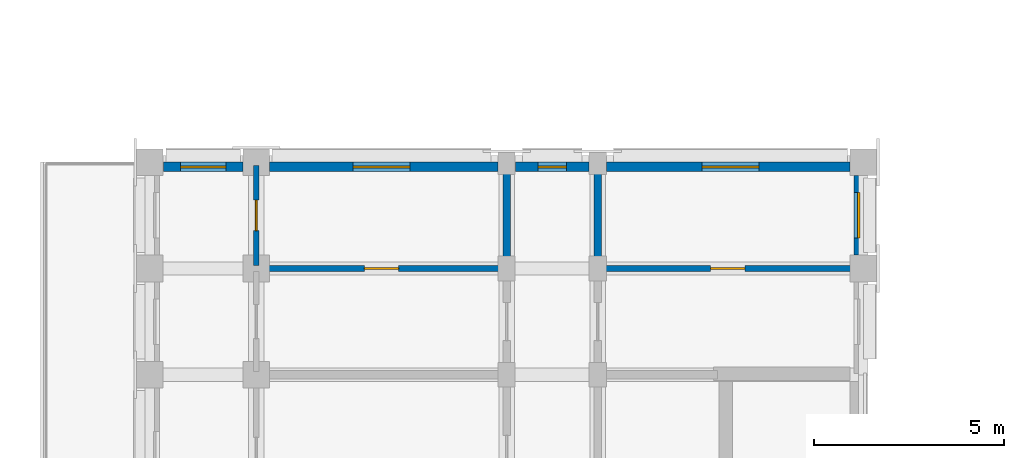
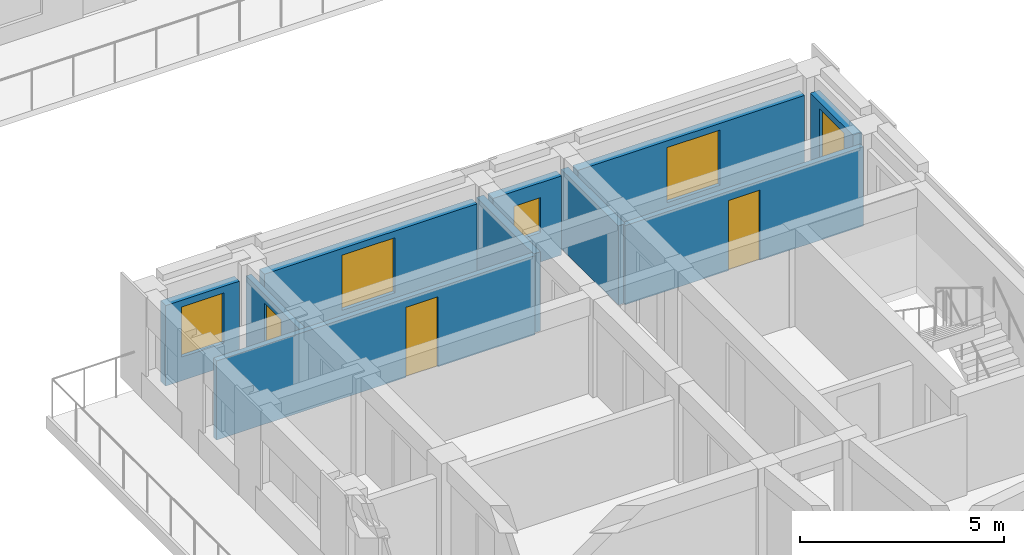
# One storey, part 21 of 54: 10 walls, 5 windows, 3 doors, 8 openings.
"""IFC4 building model written with IfcOpenShell, lengths in metres."""

from ifc_helpers import new_model, si_unit, direction, frame, frame_2d, origin, place, context, subcontext, project, spatial, rectangle, extrude, material, layer, layer_set, type_object, element, fill, save


model = new_model("IFC4")

# Units and contexts
model_context = context("Model", 3, precision=1e-05, world=origin(), true_north=direction((0.0, 1.0)))
body_context = subcontext(model_context, "Body", "Model", "MODEL_VIEW")
ifc_project = project(units=[si_unit("LENGTHUNIT", "METRE"), si_unit("AREAUNIT", "SQUARE_METRE"), si_unit("VOLUMEUNIT", "CUBIC_METRE"), si_unit("PLANEANGLEUNIT", "RADIAN"), si_unit("MASSUNIT", "GRAM", prefix="KILO")], contexts=[model_context])

# Site, building, storey
site_placement = place(None, origin())
site = spatial("IfcSite", under=ifc_project, at=site_placement, CompositionType="ELEMENT")
building_placement = place(site_placement, origin())
building = spatial("IfcBuilding", under=site, at=building_placement, Name="Kiranvali Square Residences", CompositionType="ELEMENT")
storey_placement = place(building_placement, frame((0.0, 0.0, 27.60009765625)))
storey = spatial("IfcBuildingStorey", under=building, at=storey_placement, Name="L08", CompositionType="ELEMENT", Elevation=27.60009765625)

# Walls
ifc_material_1 = material(Name="Autoclaved aerated concrete blockwork masonry", Category="masonry")
ifc_layer_1 = layer(ifc_material_1, 0.199951171875)
ifc_layer_set_1 = layer_set([ifc_layer_1], Name="Autoclaved aerated concrete blockwork masonry")
wall_type_1 = type_object("IfcWallType", Name="WL-COR-200", PredefinedType="STANDARD", material=ifc_layer_set_1)
for number, where, z_axis, x_axis, name in (
    (1, (22.39990234375, 59.39990234375, 0.0), (0.0, 0.0, 1.0), (0.0, 1.0, 0.0), "L08 architectural wall WL-L08-C-A2CI-1"),
    (2, (20.0, 59.39990234375, 0.0), (0.0, 0.0, 1.0), (0.0, 1.0, 0.0), "L08 architectural wall WL-L08-C-A2CO-1"),
):
    element("IfcWall", number, at=place(storey_placement, frame(where, z_axis=z_axis, x_axis=x_axis)), inside=storey, type_object=wall_type_1, Name=name, PredefinedType="STANDARD", context=body_context, shape_type="SweptSolid", body=[
        extrude(rectangle(XDim=2.800048828125, YDim=0.199951171875, at=frame_2d((1.39990234375, 0.0))), origin(), (0.0, 0.0, 1.0), 2.371826171875),
    ])

# Wall, opening, window
ifc_material_2 = material(Name="Breathable lime-rendered clay brick masonry", Category="masonry")
ifc_layer_2 = layer(ifc_material_2, 0.25)
ifc_layer_set_2 = layer_set([ifc_layer_2], Name="Breathable lime-rendered clay brick masonry")
wall_type_2 = type_object("IfcWallType", Name="WL-EXT-250", PredefinedType="STANDARD", material=ifc_layer_set_2)
wall_1_placement = place(storey_placement, frame((29.27490234375, 59.75341796875, 0.0), z_axis=(0.0, 0.0, 1.0), x_axis=(0.0, 1.0, 0.0)))
wall_1 = element("IfcWall", 3, at=wall_1_placement, inside=storey, type_object=wall_type_2, Name="L08 exterior wall C-L08-A2I-1", PredefinedType="STANDARD", context=body_context, shape_type="SweptSolid", body=[
    extrude(rectangle(XDim=2.093017578125, YDim=0.25, at=frame_2d((1.04638671875, 0.0))), origin(), (0.0, 0.0, 1.0), 2.471923828125),
])
opening_1_placement = place(wall_1_placement, frame((0.446533203125, 0.0, 0.77197265625)))
opening_1 = element("IfcOpeningElement", 4, at=opening_1_placement, cuts=wall_1, Name="Opening W-06", PredefinedType="OPENING", context=body_context, shape_type="SweptSolid", body=[
    extrude(rectangle(XDim=1.199951171875, YDim=1.5, at=frame_2d((0.60009765625, 0.75))), frame((0.0, 0.135009765625, 0.0), z_axis=(0.0, -1.0, 0.0), x_axis=(1.0, 0.0, 0.0)), (0.0, 0.0, 1.0), 0.27001953125),
])
ifc_material_3 = material(Name="Solar-control low-e double glazing", Category="glass")
window_type_1 = type_object("IfcWindowType", Name="WIN-RES-1200x1500", PartitioningType="SINGLE_PANEL", PredefinedType="WINDOW", material=ifc_material_3)
window_1_placement = place(opening_1_placement, origin())
window_1 = element("IfcWindow", 5, at=window_1_placement, inside=storey, type_object=window_type_1, Name="L08 recessed window C-L08-A2I-1", OverallHeight=1.5, OverallWidth=1.199951171875, PartitioningType="SINGLE_PANEL", PredefinedType="WINDOW", context=body_context, shape_type="SweptSolid", body=[
    extrude(rectangle(XDim=1.199951171875, YDim=1.5, at=frame_2d((0.60009765625, 0.75))), frame((0.0, 0.030029296875, 0.0), z_axis=(0.0, -1.0, 0.0), x_axis=(1.0, 0.0, 0.0)), (0.0, 0.0, 1.0), 0.06005859375),
])
fill(opening_1, window_1)

wall_2_placement = place(storey_placement, frame((29.04638671875, 62.074951171875, 0.0), z_axis=(0.0, 0.0, 1.0), x_axis=(-1.0, 0.0, 0.0)))
wall_2 = element("IfcWall", 6, at=wall_2_placement, inside=storey, type_object=wall_type_2, Name="L08 exterior wall C-L08-A2END-0", PredefinedType="STANDARD", context=body_context, shape_type="SweptSolid", body=[
    extrude(rectangle(XDim=6.41796875, YDim=0.25, at=frame_2d((3.208984375, 0.0))), origin(), (0.0, 0.0, 1.0), 2.371826171875),
])
opening_2_placement = place(wall_2_placement, frame((2.396484375, 0.0, 0.52197265625)))
opening_2 = element("IfcOpeningElement", 7, at=opening_2_placement, cuts=wall_2, Name="Opening W-05", PredefinedType="OPENING", context=body_context, shape_type="SweptSolid", body=[
    extrude(rectangle(XDim=1.5, YDim=1.64990234375, at=frame_2d((0.75, 0.824951171875))), frame((0.0, 0.135009765625, 0.0), z_axis=(0.0, -1.0, 0.0), x_axis=(1.0, 0.0, 0.0)), (0.0, 0.0, 1.0), 0.27001953125),
])
window_type_2 = type_object("IfcWindowType", Name="WIN-RES-1500x1650", PartitioningType="DOUBLE_PANEL_VERTICAL", PredefinedType="WINDOW", material=ifc_material_3)
window_2_placement = place(opening_2_placement, origin())
window_2 = element("IfcWindow", 8, at=window_2_placement, inside=storey, type_object=window_type_2, Name="L08 recessed window C-L08-A2END-0", OverallHeight=1.64990234375, OverallWidth=1.5, PartitioningType="DOUBLE_PANEL_VERTICAL", PredefinedType="WINDOW", context=body_context, shape_type="SweptSolid", body=[
    extrude(rectangle(XDim=1.5, YDim=1.64990234375, at=frame_2d((0.75, 0.824951171875))), frame((0.0, 0.030029296875, 0.0), z_axis=(0.0, -1.0, 0.0), x_axis=(1.0, 0.0, 0.0)), (0.0, 0.0, 1.0), 0.06005859375),
])
fill(opening_2, window_2)

wall_3_placement = place(storey_placement, frame((22.17138671875, 62.074951171875, 0.0), z_axis=(0.0, 0.0, 1.0), x_axis=(-1.0, 0.0, 0.0)))
wall_3 = element("IfcWall", 9, at=wall_3_placement, inside=storey, type_object=wall_type_2, Name="L08 exterior wall C-L08-A2END-1", PredefinedType="STANDARD", context=body_context, shape_type="SweptSolid", body=[
    extrude(rectangle(XDim=1.94287109375, YDim=0.25, at=frame_2d((0.971435546875, 0.0))), origin(), (0.0, 0.0, 1.0), 2.371826171875),
])
opening_3_placement = place(wall_3_placement, frame((0.596435546875, 0.0, 0.8798828125)))
opening_3 = element("IfcOpeningElement", 10, at=opening_3_placement, cuts=wall_3, Name="Opening W-07", PredefinedType="OPENING", context=body_context, shape_type="SweptSolid", body=[
    extrude(rectangle(XDim=0.75, YDim=1.050048828125, at=frame_2d((0.375, 0.52490234375))), frame((0.0, 0.135009765625, 0.0), z_axis=(0.0, -1.0, 0.0), x_axis=(1.0, 0.0, 0.0)), (0.0, 0.0, 1.0), 0.27001953125),
])
window_type_3 = type_object("IfcWindowType", Name="WIN-WET-750x1050", PartitioningType="SINGLE_PANEL", PredefinedType="WINDOW", material=ifc_material_3)
window_3_placement = place(opening_3_placement, origin())
window_3 = element("IfcWindow", 11, at=window_3_placement, inside=storey, type_object=window_type_3, Name="L08 recessed window C-L08-A2END-1", OverallHeight=1.050048828125, OverallWidth=0.75, PartitioningType="SINGLE_PANEL", PredefinedType="WINDOW", context=body_context, shape_type="SweptSolid", body=[
    extrude(rectangle(XDim=0.75, YDim=1.050048828125, at=frame_2d((0.375, 0.52490234375))), frame((0.0, 0.030029296875, 0.0), z_axis=(0.0, -1.0, 0.0), x_axis=(1.0, 0.0, 0.0)), (0.0, 0.0, 1.0), 0.06005859375),
])
fill(opening_3, window_3)

wall_4_placement = place(storey_placement, frame((19.771484375, 62.074951171875, 0.0), z_axis=(0.0, 0.0, 1.0), x_axis=(-1.0, 0.0, 0.0)))
wall_4 = element("IfcWall", 12, at=wall_4_placement, inside=storey, type_object=wall_type_2, Name="L08 exterior wall C-L08-A2END-2", PredefinedType="STANDARD", context=body_context, shape_type="SweptSolid", body=[
    extrude(rectangle(XDim=6.01806640625, YDim=0.25, at=frame_2d((3.009033203125, 0.0))), origin(), (0.0, 0.0, 1.0), 2.371826171875),
])
opening_4_placement = place(wall_4_placement, frame((2.321533203125, 0.0, 0.52197265625)))
opening_4 = element("IfcOpeningElement", 13, at=opening_4_placement, cuts=wall_4, Name="Opening W-05", PredefinedType="OPENING", context=body_context, shape_type="SweptSolid", body=[
    extrude(rectangle(XDim=1.5, YDim=1.64990234375, at=frame_2d((0.75, 0.824951171875))), frame((0.0, 0.135009765625, 0.0), z_axis=(0.0, -1.0, 0.0), x_axis=(1.0, 0.0, 0.0)), (0.0, 0.0, 1.0), 0.27001953125),
])
window_4_placement = place(opening_4_placement, origin())
window_4 = element("IfcWindow", 14, at=window_4_placement, inside=storey, type_object=window_type_2, Name="L08 recessed window C-L08-A2END-2", OverallHeight=1.64990234375, OverallWidth=1.5, PartitioningType="DOUBLE_PANEL_VERTICAL", PredefinedType="WINDOW", context=body_context, shape_type="SweptSolid", body=[
    extrude(rectangle(XDim=1.5, YDim=1.64990234375, at=frame_2d((0.75, 0.824951171875))), frame((0.0, 0.030029296875, 0.0), z_axis=(0.0, -1.0, 0.0), x_axis=(1.0, 0.0, 0.0)), (0.0, 0.0, 1.0), 0.06005859375),
])
fill(opening_4, window_4)

wall_5_placement = place(storey_placement, frame((13.04638671875, 62.074951171875, 0.0), z_axis=(0.0, 0.0, 1.0), x_axis=(-1.0, 0.0, 0.0)))
wall_5 = element("IfcWall", 15, at=wall_5_placement, inside=storey, type_object=wall_type_2, Name="L08 exterior wall C-L08-A2END-3", PredefinedType="STANDARD", context=body_context, shape_type="SweptSolid", body=[
    extrude(rectangle(XDim=2.0927734375, YDim=0.25, at=frame_2d((1.04638671875, 0.0))), origin(), (0.0, 0.0, 1.0), 2.411865234375),
])
opening_5_placement = place(wall_5_placement, frame((0.446533203125, 0.0, 0.7119140625)))
opening_5 = element("IfcOpeningElement", 16, at=opening_5_placement, cuts=wall_5, Name="Opening W-06", PredefinedType="OPENING", context=body_context, shape_type="SweptSolid", body=[
    extrude(rectangle(XDim=1.199951171875, YDim=1.5, at=frame_2d((0.60009765625, 0.75))), frame((0.0, 0.135009765625, 0.0), z_axis=(0.0, -1.0, 0.0), x_axis=(1.0, 0.0, 0.0)), (0.0, 0.0, 1.0), 0.27001953125),
])
window_5_placement = place(opening_5_placement, origin())
window_5 = element("IfcWindow", 17, at=window_5_placement, inside=storey, type_object=window_type_1, Name="L08 recessed window C-L08-A2END-3", OverallHeight=1.5, OverallWidth=1.199951171875, PartitioningType="SINGLE_PANEL", PredefinedType="WINDOW", context=body_context, shape_type="SweptSolid", body=[
    extrude(rectangle(XDim=1.199951171875, YDim=1.5, at=frame_2d((0.60009765625, 0.75))), frame((0.0, 0.030029296875, 0.0), z_axis=(0.0, -1.0, 0.0), x_axis=(1.0, 0.0, 0.0)), (0.0, 0.0, 1.0), 0.06005859375),
])
fill(opening_5, window_5)

# Wall, opening, door
ifc_material_4 = material(Name="Acoustic gypsum board drylined partition", Category="gypsum")
ifc_layer_3 = layer(ifc_material_4, 0.14990234375)
ifc_layer_set_3 = layer_set([ifc_layer_3], Name="Acoustic gypsum board drylined partition")
wall_type_3 = type_object("IfcWallType", Name="WL-PRT-150", PredefinedType="PARTITIONING", material=ifc_layer_set_3)
wall_6_placement = place(storey_placement, frame((29.199951171875, 59.39990234375, 0.0), z_axis=(0.0, 0.0, 1.0), x_axis=(-1.0, 0.0, 0.0)))
wall_6 = element("IfcWall", 18, at=wall_6_placement, inside=storey, type_object=wall_type_3, Name="L08 architectural wall WL-L08-C-A2TI-1", PredefinedType="PARTITIONING", context=body_context, shape_type="SweptSolid", body=[
    extrude(rectangle(XDim=6.75, YDim=0.14990234375, at=frame_2d((3.375, 0.0))), origin(), (0.0, 0.0, 1.0), 2.371826171875),
])
opening_6_placement = place(wall_6_placement, frame((2.925048828125, 0.0, 0.0)))
opening_6 = element("IfcOpeningElement", 19, at=opening_6_placement, cuts=wall_6, Name="Opening ID-1", PredefinedType="OPENING", context=body_context, shape_type="SweptSolid", body=[
    extrude(rectangle(XDim=0.89990234375, YDim=2.10009765625, at=frame_2d((0.449951171875, 1.050048828125))), frame((0.0, 0.0849609375, 0.0), z_axis=(0.0, -1.0, 0.0), x_axis=(1.0, 0.0, 0.0)), (0.0, 0.0, 1.0), 0.169921875),
])
ifc_material_5 = material(Name="Solid seasoned teak hardwood joinery", Category="wood")
door_type_1 = type_object("IfcDoorType", Name="DR-INT-900", OperationType="NOTDEFINED", PredefinedType="DOOR", material=ifc_material_5)
door_1_placement = place(opening_6_placement, origin())
door_1 = element("IfcDoor", 20, at=door_1_placement, inside=storey, type_object=door_type_1, Name="L08 door DR-L08-2253 (DR-INT-900)", OperationType="SINGLE_SWING_LEFT", OverallHeight=2.10009765625, OverallWidth=0.89990234375, PredefinedType="DOOR", context=body_context, shape_type="SweptSolid", body=[
    extrude(rectangle(XDim=0.89990234375, YDim=2.10009765625, at=frame_2d((0.449951171875, 1.050048828125))), frame((0.0, 0.02490234375, 0.0), z_axis=(0.0, -1.0, 0.0), x_axis=(1.0, 0.0, 0.0)), (0.0, 0.0, 1.0), 0.050048828125),
])
fill(opening_6, door_1)

wall_7_placement = place(storey_placement, frame((19.89990234375, 59.39990234375, 0.0), z_axis=(0.0, 0.0, 1.0), x_axis=(-1.0, 0.0, 0.0)))
wall_7 = element("IfcWall", 21, at=wall_7_placement, inside=storey, type_object=wall_type_3, Name="L08 architectural wall WL-L08-C-A2TO-1", PredefinedType="PARTITIONING", context=body_context, shape_type="SweptSolid", body=[
    extrude(rectangle(XDim=9.02001953125, YDim=0.14990234375, at=frame_2d((4.510009765625, 0.0))), origin(), (0.0, 0.0, 1.0), 2.371826171875),
])
opening_7_placement = place(wall_7_placement, frame((2.750244140625, 0.0, 0.0)))
opening_7 = element("IfcOpeningElement", 22, at=opening_7_placement, cuts=wall_7, Name="Opening ID-1", PredefinedType="OPENING", context=body_context, shape_type="SweptSolid", body=[
    extrude(rectangle(XDim=0.89990234375, YDim=2.10009765625, at=frame_2d((0.449951171875, 1.050048828125))), frame((0.0, 0.0849609375, 0.0), z_axis=(0.0, -1.0, 0.0), x_axis=(1.0, 0.0, 0.0)), (0.0, 0.0, 1.0), 0.169921875),
])
door_2_placement = place(opening_7_placement, frame((0.89990234375, 0.0, 0.0), z_axis=(0.0, 0.0, 1.0), x_axis=(-1.0, 0.0, 0.0)))
door_2 = element("IfcDoor", 23, at=door_2_placement, inside=storey, type_object=door_type_1, Name="L08 door DR-L08-2254 (DR-INT-900)", OperationType="SINGLE_SWING_RIGHT", OverallHeight=2.10009765625, OverallWidth=0.89990234375, PredefinedType="DOOR", context=body_context, shape_type="SweptSolid", body=[
    extrude(rectangle(XDim=0.89990234375, YDim=2.10009765625, at=frame_2d((0.449951171875, 1.050048828125))), frame((0.0, 0.02490234375, 0.0), z_axis=(0.0, -1.0, 0.0), x_axis=(1.0, 0.0, 0.0)), (0.0, 0.0, 1.0), 0.050048828125),
])
fill(opening_7, door_2)

ifc_layer_4 = layer(ifc_material_1, 0.14990234375)
ifc_layer_set_4 = layer_set([ifc_layer_4], Name="Autoclaved aerated concrete blockwork masonry")
wall_type_4 = type_object("IfcWallType", Name="WL-WET-150", PredefinedType="PLUMBINGWALL", material=ifc_layer_set_4)
wall_8_placement = place(storey_placement, frame((13.39990234375, 59.47998046875, 0.0), z_axis=(0.0, 0.0, 1.0), x_axis=(0.0, 1.0, 0.0)))
wall_8 = element("IfcWall", 24, at=wall_8_placement, inside=storey, type_object=wall_type_4, Name="L08 architectural wall WL-L08-C-A2SP-1", PredefinedType="PLUMBINGWALL", context=body_context, shape_type="SweptSolid", body=[
    extrude(rectangle(XDim=2.64013671875, YDim=0.14990234375, at=frame_2d((1.320068359375, 0.0))), origin(), (0.0, 0.0, 1.0), 2.371826171875),
])
opening_8_placement = place(wall_8_placement, frame((0.919921875, 0.0, 0.0)))
opening_8 = element("IfcOpeningElement", 25, at=opening_8_placement, cuts=wall_8, Name="Opening ID-WET", PredefinedType="OPENING", context=body_context, shape_type="SweptSolid", body=[
    extrude(rectangle(XDim=0.800048828125, YDim=2.10009765625, at=frame_2d((0.39990234375, 1.050048828125))), frame((0.0, 0.0849609375, 0.0), z_axis=(0.0, -1.0, 0.0), x_axis=(1.0, 0.0, 0.0)), (0.0, 0.0, 1.0), 0.169921875),
])
door_type_2 = type_object("IfcDoorType", Name="DR-WET-800", OperationType="NOTDEFINED", PredefinedType="DOOR", material=ifc_material_5)
door_3_placement = place(opening_8_placement, frame((0.800048828125, 0.0, 0.0), z_axis=(0.0, 0.0, 1.0), x_axis=(-1.0, 0.0, 0.0)))
door_3 = element("IfcDoor", 26, at=door_3_placement, inside=storey, type_object=door_type_2, Name="L08 door DR-L08-2252 (DR-WET-800)", OperationType="SINGLE_SWING_RIGHT", OverallHeight=2.10009765625, OverallWidth=0.800048828125, PredefinedType="DOOR", context=body_context, shape_type="SweptSolid", body=[
    extrude(rectangle(XDim=0.800048828125, YDim=2.10009765625, at=frame_2d((0.39990234375, 1.050048828125))), frame((0.0, 0.02490234375, 0.0), z_axis=(0.0, -1.0, 0.0), x_axis=(1.0, 0.0, 0.0)), (0.0, 0.0, 1.0), 0.050048828125),
])
fill(opening_8, door_3)

save(model, "model.ifc")
